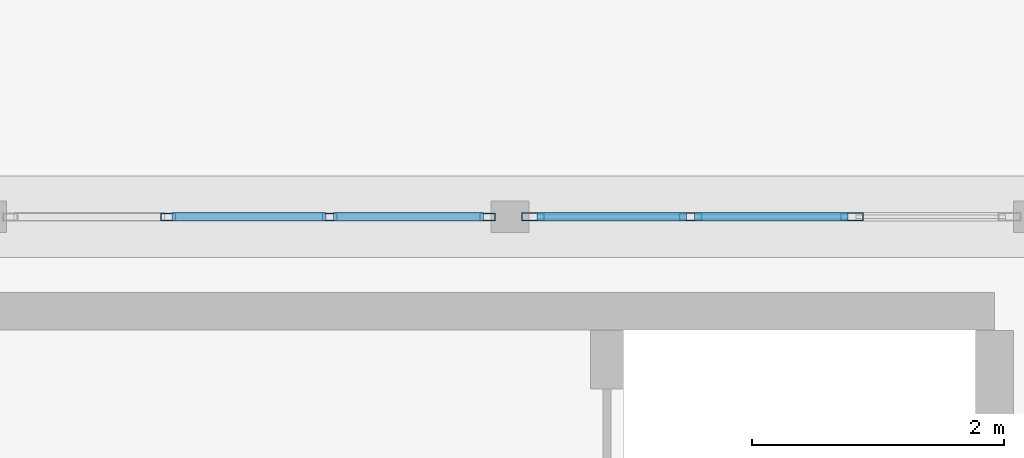
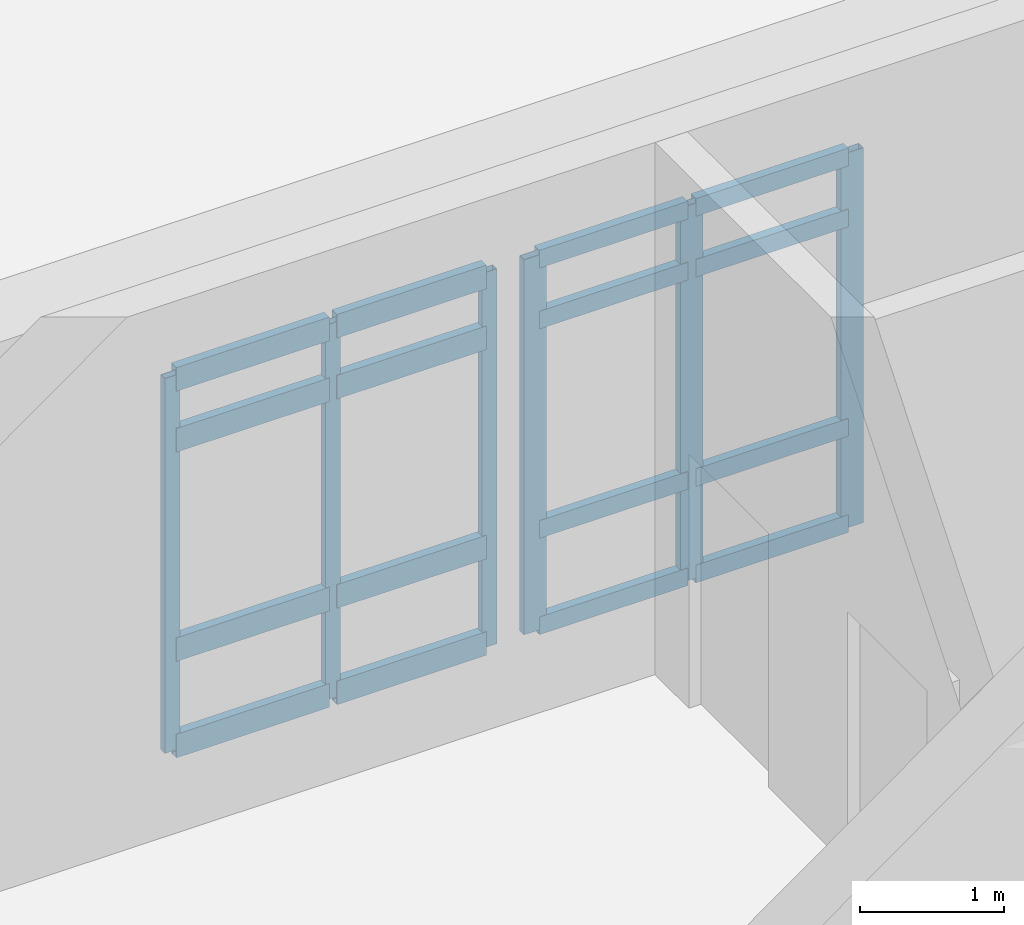
# One storey, part 24 of 109: 22 members, 2 elements without a shape of their own.
"""IFC4 building model written with IfcOpenShell, lengths in metres."""

from ifc_helpers import new_model, si_unit, direction, frame, origin, origin_2d, place, context, subcontext, project, spatial, hollow_rectangle, extrude, material, layer, layer_set, material_profile, profile_set, type_object, element, aggregate, save


model = new_model("IFC4")

# Units and contexts
model_context = context("Model", 3, precision=1e-05, world=origin(), true_north=direction((0.0, 1.0)))
body_context = subcontext(model_context, "Body", "Model", "MODEL_VIEW")
ifc_project = project(units=[si_unit("LENGTHUNIT", "METRE"), si_unit("AREAUNIT", "SQUARE_METRE"), si_unit("VOLUMEUNIT", "CUBIC_METRE"), si_unit("PLANEANGLEUNIT", "RADIAN"), si_unit("MASSUNIT", "GRAM", prefix="KILO")], contexts=[model_context])

# Site, building, storey
site_placement = place(None, origin())
site = spatial("IfcSite", under=ifc_project, at=site_placement, CompositionType="ELEMENT")
building_placement = place(site_placement, origin())
building = spatial("IfcBuilding", under=site, at=building_placement, Name="Fikremerkos Civic Library", CompositionType="ELEMENT")
storey_placement = place(building_placement, frame((0.0, 0.0, 5.39990234375)))
storey = spatial("IfcBuildingStorey", under=building, at=storey_placement, Name="L01", CompositionType="ELEMENT", Elevation=5.39990234375)

# Curtain wall, members
ifc_material = material(Name="Anodized aluminium Frame", Category="aluminium")
ifc_layer_1 = layer(ifc_material, 0.159912109375, Name="Anodized aluminium Frame")
ifc_layer_set_1 = layer_set([ifc_layer_1], Name="Anodized aluminium Frame")
curtain_wall_type_1 = type_object("IfcCurtainWallType", Name="Unitised curtain wall CW-09 3600x3400", PredefinedType="USERDEFINED", material=ifc_layer_set_1)
curtain_wall_1_placement = place(storey_placement, origin())
curtain_wall_1 = element("IfcCurtainWall", 1, at=curtain_wall_1_placement, inside=storey, type_object=curtain_wall_type_1, Name="Unitised curtain wall CW-09 L01 #99", ObjectType="UNITISED CURTAIN WALL", PredefinedType="USERDEFINED")
ifc_material_profile_1 = material_profile(ifc_material, hollow_rectangle(XDim=0.06494140625, YDim=0.179931640625, WallThickness=0.00439453125, at=origin_2d()), Name="ALU 180x65x4.5")
ifc_profile_set_1 = profile_set([ifc_material_profile_1], Name="Anodized aluminium Frame")
member_type_1 = type_object("IfcMemberType", Name="Curtain mullion CWM-01 ALU 180x65x4.5", PredefinedType="MULLION", material=ifc_profile_set_1)
member_1_placement = place(storey_placement, frame((109.18310546875, 31.199951171875, 0.0), z_axis=(0.0, 0.0, 1.0), x_axis=(0.0, 1.0, 0.0)))
member_1 = element("IfcMember", 2, at=member_1_placement, type_object=member_type_1, Name="CW-09 mullion 1", PredefinedType="MULLION", context=body_context, shape_type="SweptSolid", body=[
    extrude(hollow_rectangle(XDim=0.06494140625, YDim=0.179931640625, WallThickness=0.00439453125, at=origin_2d()), origin(), (0.0, 0.0, 1.0), 3.170166015625),
])
member_2_placement = place(storey_placement, frame((110.434326171875, 31.199951171875, 0.0), z_axis=(0.0, 0.0, 1.0), x_axis=(0.0, 1.0, 0.0)))
member_2 = element("IfcMember", 3, at=member_2_placement, type_object=member_type_1, Name="CW-09 mullion 2", PredefinedType="MULLION", context=body_context, shape_type="SweptSolid", body=[
    extrude(hollow_rectangle(XDim=0.06494140625, YDim=0.179931640625, WallThickness=0.00439453125, at=origin_2d()), origin(), (0.0, 0.0, 1.0), 3.170166015625),
])
member_3_placement = place(storey_placement, frame((111.71826171875, 31.199951171875, 0.0), z_axis=(0.0, 0.0, 1.0), x_axis=(0.0, 1.0, 0.0)))
member_3 = element("IfcMember", 4, at=member_3_placement, type_object=member_type_1, Name="CW-09 mullion 3", PredefinedType="MULLION", context=body_context, shape_type="SweptSolid", body=[
    extrude(hollow_rectangle(XDim=0.06494140625, YDim=0.179931640625, WallThickness=0.00439453125, at=origin_2d()), origin(), (0.0, 0.0, 1.0), 3.170166015625),
])

ifc_layer_2 = layer(ifc_material, 0.159912109375, Name="Anodized aluminium Frame")
ifc_layer_set_2 = layer_set([ifc_layer_2], Name="Anodized aluminium Frame")
curtain_wall_type_2 = type_object("IfcCurtainWallType", Name="Unitised curtain wall CW-08 4500x4100", PredefinedType="USERDEFINED", material=ifc_layer_set_2)
curtain_wall_2_placement = place(storey_placement, origin())
curtain_wall_2 = element("IfcCurtainWall", 5, at=curtain_wall_2_placement, inside=storey, type_object=curtain_wall_type_2, Name="Unitised curtain wall CW-08 L01 #98", ObjectType="UNITISED CURTAIN WALL", PredefinedType="USERDEFINED")
ifc_material_profile_2 = material_profile(ifc_material, hollow_rectangle(XDim=0.06005859375, YDim=0.1201171875, WallThickness=0.00390625, at=origin_2d()), Name="ALU 120x60x4")
ifc_profile_set_2 = profile_set([ifc_material_profile_2], Name="Anodized aluminium Frame")
member_type_2 = type_object("IfcMemberType", Name="Curtain mullion CWM-04 ALU 120x60x4", PredefinedType="MULLION", material=ifc_profile_set_2)
member_4_placement = place(storey_placement, frame((106.283203125, 31.199951171875, 0.0), z_axis=(0.0, 0.0, 1.0), x_axis=(0.0, 1.0, 0.0)))
member_4 = element("IfcMember", 6, at=member_4_placement, type_object=member_type_2, Name="CW-08 mullion 2", PredefinedType="MULLION", context=body_context, shape_type="SweptSolid", body=[
    extrude(hollow_rectangle(XDim=0.06005859375, YDim=0.1201171875, WallThickness=0.00390625, at=origin_2d()), origin(), (0.0, 0.0, 1.0), 3.170166015625),
])
member_5_placement = place(storey_placement, frame((107.56689453125, 31.199951171875, 0.0), z_axis=(0.0, 0.0, 1.0), x_axis=(0.0, 1.0, 0.0)))
member_5 = element("IfcMember", 7, at=member_5_placement, type_object=member_type_2, Name="CW-08 mullion 3", PredefinedType="MULLION", context=body_context, shape_type="SweptSolid", body=[
    extrude(hollow_rectangle(XDim=0.06005859375, YDim=0.1201171875, WallThickness=0.00390625, at=origin_2d()), origin(), (0.0, 0.0, 1.0), 3.170166015625),
])
member_6_placement = place(storey_placement, frame((108.820556640625, 31.199951171875, 0.0), z_axis=(0.0, 0.0, 1.0), x_axis=(0.0, 1.0, 0.0)))
member_6 = element("IfcMember", 8, at=member_6_placement, type_object=member_type_2, Name="CW-08 mullion 4", PredefinedType="MULLION", context=body_context, shape_type="SweptSolid", body=[
    extrude(hollow_rectangle(XDim=0.06005859375, YDim=0.1201171875, WallThickness=0.00390625, at=origin_2d()), origin(), (0.0, 0.0, 1.0), 3.170166015625),
])

# Member
ifc_material_profile_3 = material_profile(ifc_material, hollow_rectangle(XDim=0.070068359375, YDim=0.14990234375, WallThickness=0.00439453125, at=origin_2d()), Name="ALU 150x70x4.5")
ifc_profile_set_3 = profile_set([ifc_material_profile_3], Name="Anodized aluminium Frame")
member_type_3 = type_object("IfcMemberType", Name="Curtain transom CWT-01 ALU 150x70x4.5", PredefinedType="USERDEFINED", material=ifc_profile_set_3)
member_7_placement = place(storey_placement, frame((109.215576171875, 31.199951171875, 0.03515625), z_axis=(1.0, 0.0, 0.0), x_axis=(0.0, 1.0, 0.0)))
member_7 = element("IfcMember", 9, at=member_7_placement, type_object=member_type_3, Name="CW-09 transom 1.1", ObjectType="TRANSOM", PredefinedType="USERDEFINED", context=body_context, shape_type="SweptSolid", body=[
    extrude(hollow_rectangle(XDim=0.070068359375, YDim=0.14990234375, WallThickness=0.00439453125, at=origin_2d()), origin(), (0.0, 0.0, 1.0), 1.186279296875),
])

member_8_placement = place(storey_placement, frame((109.215576171875, 31.199951171875, 0.85009765625), z_axis=(1.0, 0.0, 0.0), x_axis=(0.0, 1.0, 0.0)))
member_8 = element("IfcMember", 10, at=member_8_placement, type_object=member_type_3, Name="CW-09 transom 1.2", ObjectType="TRANSOM", PredefinedType="USERDEFINED", context=body_context, shape_type="SweptSolid", body=[
    extrude(hollow_rectangle(XDim=0.070068359375, YDim=0.14990234375, WallThickness=0.00439453125, at=origin_2d()), origin(), (0.0, 0.0, 1.0), 1.186279296875),
])

member_9_placement = place(storey_placement, frame((109.215576171875, 31.199951171875, 2.6201171875), z_axis=(1.0, 0.0, 0.0), x_axis=(0.0, 1.0, 0.0)))
member_9 = element("IfcMember", 11, at=member_9_placement, type_object=member_type_3, Name="CW-09 transom 1.3", ObjectType="TRANSOM", PredefinedType="USERDEFINED", context=body_context, shape_type="SweptSolid", body=[
    extrude(hollow_rectangle(XDim=0.070068359375, YDim=0.14990234375, WallThickness=0.00439453125, at=origin_2d()), origin(), (0.0, 0.0, 1.0), 1.186279296875),
])

member_10_placement = place(storey_placement, frame((109.215576171875, 31.199951171875, 3.135009765625), z_axis=(1.0, 0.0, 0.0), x_axis=(0.0, 1.0, 0.0)))
member_10 = element("IfcMember", 12, at=member_10_placement, type_object=member_type_3, Name="CW-09 transom 1.4", ObjectType="TRANSOM", PredefinedType="USERDEFINED", context=body_context, shape_type="SweptSolid", body=[
    extrude(hollow_rectangle(XDim=0.070068359375, YDim=0.14990234375, WallThickness=0.00439453125, at=origin_2d()), origin(), (0.0, 0.0, 1.0), 1.186279296875),
])

member_11_placement = place(storey_placement, frame((110.467041015625, 31.199951171875, 0.03515625), z_axis=(1.0, 0.0, 0.0), x_axis=(0.0, 1.0, 0.0)))
member_11 = element("IfcMember", 13, at=member_11_placement, type_object=member_type_3, Name="CW-09 transom 2.1", ObjectType="TRANSOM", PredefinedType="USERDEFINED", context=body_context, shape_type="SweptSolid", body=[
    extrude(hollow_rectangle(XDim=0.070068359375, YDim=0.14990234375, WallThickness=0.00439453125, at=origin_2d()), origin(), (0.0, 0.0, 1.0), 1.21875),
])

member_12_placement = place(storey_placement, frame((110.467041015625, 31.199951171875, 0.85009765625), z_axis=(1.0, 0.0, 0.0), x_axis=(0.0, 1.0, 0.0)))
member_12 = element("IfcMember", 14, at=member_12_placement, type_object=member_type_3, Name="CW-09 transom 2.2", ObjectType="TRANSOM", PredefinedType="USERDEFINED", context=body_context, shape_type="SweptSolid", body=[
    extrude(hollow_rectangle(XDim=0.070068359375, YDim=0.14990234375, WallThickness=0.00439453125, at=origin_2d()), origin(), (0.0, 0.0, 1.0), 1.21875),
])

member_13_placement = place(storey_placement, frame((110.467041015625, 31.199951171875, 2.6201171875), z_axis=(1.0, 0.0, 0.0), x_axis=(0.0, 1.0, 0.0)))
member_13 = element("IfcMember", 15, at=member_13_placement, type_object=member_type_3, Name="CW-09 transom 2.3", ObjectType="TRANSOM", PredefinedType="USERDEFINED", context=body_context, shape_type="SweptSolid", body=[
    extrude(hollow_rectangle(XDim=0.070068359375, YDim=0.14990234375, WallThickness=0.00439453125, at=origin_2d()), origin(), (0.0, 0.0, 1.0), 1.21875),
])

member_14_placement = place(storey_placement, frame((110.467041015625, 31.199951171875, 3.135009765625), z_axis=(1.0, 0.0, 0.0), x_axis=(0.0, 1.0, 0.0)))
member_14 = element("IfcMember", 16, at=member_14_placement, type_object=member_type_3, Name="CW-09 transom 2.4", ObjectType="TRANSOM", PredefinedType="USERDEFINED", context=body_context, shape_type="SweptSolid", body=[
    extrude(hollow_rectangle(XDim=0.070068359375, YDim=0.14990234375, WallThickness=0.00439453125, at=origin_2d()), origin(), (0.0, 0.0, 1.0), 1.21875),
])

aggregate(curtain_wall_1, [member_1, member_2, member_3, member_7, member_8, member_9, member_10, member_11, member_12, member_13, member_14])

ifc_material_profile_4 = material_profile(ifc_material, hollow_rectangle(XDim=0.070068359375, YDim=0.199951171875, WallThickness=0.0048828125, at=origin_2d()), Name="ALU 200x70x5")
ifc_profile_set_4 = profile_set([ifc_material_profile_4], Name="Anodized aluminium Frame")
member_type_4 = type_object("IfcMemberType", Name="Curtain transom CWT-04 ALU 200x70x5", PredefinedType="USERDEFINED", material=ifc_profile_set_4)
member_15_placement = place(storey_placement, frame((106.31298828125, 31.199951171875, 0.03515625), z_axis=(1.0, 0.0, 0.0), x_axis=(0.0, 1.0, 0.0)))
member_15 = element("IfcMember", 17, at=member_15_placement, type_object=member_type_4, Name="CW-08 transom 2.1", ObjectType="TRANSOM", PredefinedType="USERDEFINED", context=body_context, shape_type="SweptSolid", body=[
    extrude(hollow_rectangle(XDim=0.070068359375, YDim=0.199951171875, WallThickness=0.0048828125, at=origin_2d()), origin(), (0.0, 0.0, 1.0), 1.223876953125),
])

member_16_placement = place(storey_placement, frame((106.31298828125, 31.199951171875, 0.85009765625), z_axis=(1.0, 0.0, 0.0), x_axis=(0.0, 1.0, 0.0)))
member_16 = element("IfcMember", 18, at=member_16_placement, type_object=member_type_4, Name="CW-08 transom 2.2", ObjectType="TRANSOM", PredefinedType="USERDEFINED", context=body_context, shape_type="SweptSolid", body=[
    extrude(hollow_rectangle(XDim=0.070068359375, YDim=0.199951171875, WallThickness=0.0048828125, at=origin_2d()), origin(), (0.0, 0.0, 1.0), 1.223876953125),
])

member_17_placement = place(storey_placement, frame((106.31298828125, 31.199951171875, 2.6201171875), z_axis=(1.0, 0.0, 0.0), x_axis=(0.0, 1.0, 0.0)))
member_17 = element("IfcMember", 19, at=member_17_placement, type_object=member_type_4, Name="CW-08 transom 2.3", ObjectType="TRANSOM", PredefinedType="USERDEFINED", context=body_context, shape_type="SweptSolid", body=[
    extrude(hollow_rectangle(XDim=0.070068359375, YDim=0.199951171875, WallThickness=0.0048828125, at=origin_2d()), origin(), (0.0, 0.0, 1.0), 1.223876953125),
])

member_18_placement = place(storey_placement, frame((106.31298828125, 31.199951171875, 3.135009765625), z_axis=(1.0, 0.0, 0.0), x_axis=(0.0, 1.0, 0.0)))
member_18 = element("IfcMember", 20, at=member_18_placement, type_object=member_type_4, Name="CW-08 transom 2.4", ObjectType="TRANSOM", PredefinedType="USERDEFINED", context=body_context, shape_type="SweptSolid", body=[
    extrude(hollow_rectangle(XDim=0.070068359375, YDim=0.199951171875, WallThickness=0.0048828125, at=origin_2d()), origin(), (0.0, 0.0, 1.0), 1.223876953125),
])

member_19_placement = place(storey_placement, frame((107.596923828125, 31.199951171875, 0.03515625), z_axis=(1.0, 0.0, 0.0), x_axis=(0.0, 1.0, 0.0)))
member_19 = element("IfcMember", 21, at=member_19_placement, type_object=member_type_4, Name="CW-08 transom 3.1", ObjectType="TRANSOM", PredefinedType="USERDEFINED", context=body_context, shape_type="SweptSolid", body=[
    extrude(hollow_rectangle(XDim=0.070068359375, YDim=0.199951171875, WallThickness=0.0048828125, at=origin_2d()), origin(), (0.0, 0.0, 1.0), 1.19384765625),
])

member_20_placement = place(storey_placement, frame((107.596923828125, 31.199951171875, 0.85009765625), z_axis=(1.0, 0.0, 0.0), x_axis=(0.0, 1.0, 0.0)))
member_20 = element("IfcMember", 22, at=member_20_placement, type_object=member_type_4, Name="CW-08 transom 3.2", ObjectType="TRANSOM", PredefinedType="USERDEFINED", context=body_context, shape_type="SweptSolid", body=[
    extrude(hollow_rectangle(XDim=0.070068359375, YDim=0.199951171875, WallThickness=0.0048828125, at=origin_2d()), origin(), (0.0, 0.0, 1.0), 1.19384765625),
])

member_21_placement = place(storey_placement, frame((107.596923828125, 31.199951171875, 2.6201171875), z_axis=(1.0, 0.0, 0.0), x_axis=(0.0, 1.0, 0.0)))
member_21 = element("IfcMember", 23, at=member_21_placement, type_object=member_type_4, Name="CW-08 transom 3.3", ObjectType="TRANSOM", PredefinedType="USERDEFINED", context=body_context, shape_type="SweptSolid", body=[
    extrude(hollow_rectangle(XDim=0.070068359375, YDim=0.199951171875, WallThickness=0.0048828125, at=origin_2d()), origin(), (0.0, 0.0, 1.0), 1.19384765625),
])

member_22_placement = place(storey_placement, frame((107.596923828125, 31.199951171875, 3.135009765625), z_axis=(1.0, 0.0, 0.0), x_axis=(0.0, 1.0, 0.0)))
member_22 = element("IfcMember", 24, at=member_22_placement, type_object=member_type_4, Name="CW-08 transom 3.4", ObjectType="TRANSOM", PredefinedType="USERDEFINED", context=body_context, shape_type="SweptSolid", body=[
    extrude(hollow_rectangle(XDim=0.070068359375, YDim=0.199951171875, WallThickness=0.0048828125, at=origin_2d()), origin(), (0.0, 0.0, 1.0), 1.19384765625),
])

aggregate(curtain_wall_2, [member_4, member_5, member_6, member_15, member_16, member_17, member_18, member_19, member_20, member_21, member_22])

save(model, "model.ifc")
